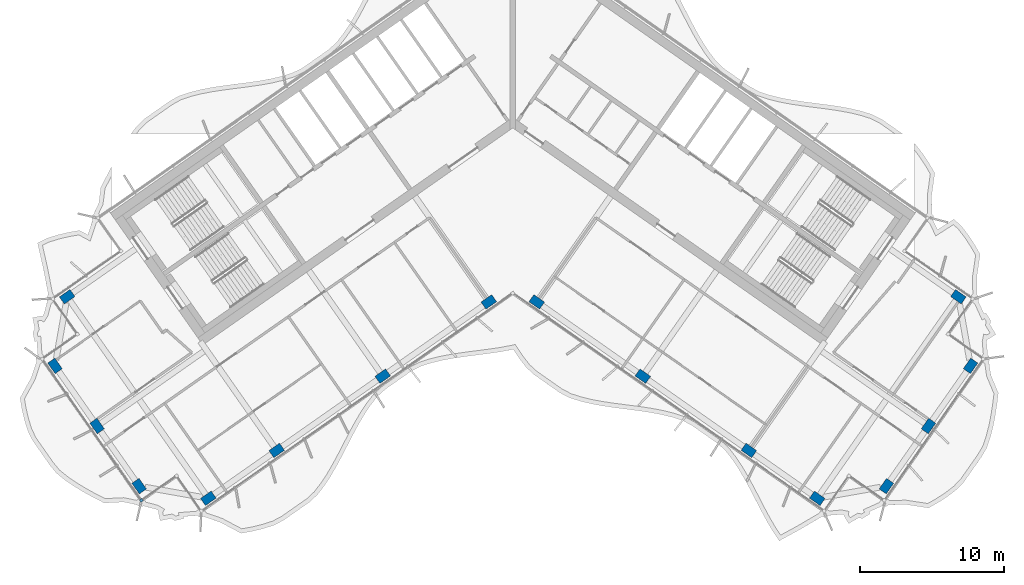
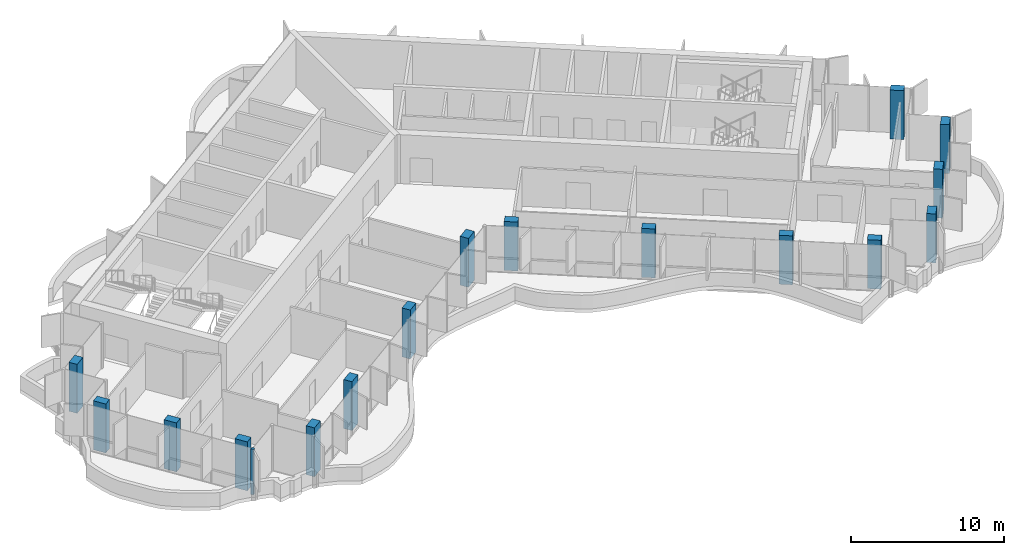
# One storey, part 1 of 20: 16 columns, 1 member, 1 element without a shape of its own.
"""IFC4 building model written with IfcOpenShell, lengths in metres."""

from ifc_helpers import new_model, si_unit, direction, frame, origin, origin_2d, place, context, subcontext, project, spatial, rectangle, extrude, material, material_profile, profile_set, type_object, element, aggregate, save


model = new_model("IFC4")

# Units and contexts
model_context = context("Model", 3, precision=1e-05, world=origin(), true_north=direction((0.0, 1.0)))
body_context = subcontext(model_context, "Body", "Model", "MODEL_VIEW")
ifc_project = project(units=[si_unit("LENGTHUNIT", "METRE"), si_unit("AREAUNIT", "SQUARE_METRE"), si_unit("VOLUMEUNIT", "CUBIC_METRE"), si_unit("PLANEANGLEUNIT", "RADIAN"), si_unit("MASSUNIT", "GRAM", prefix="KILO")], contexts=[model_context])

# Site, building, storey
site_placement = place(None, origin())
site = spatial("IfcSite", under=ifc_project, at=site_placement, CompositionType="ELEMENT")
building_placement = place(site_placement, origin())
building = spatial("IfcBuilding", under=site, at=building_placement, Name="Tel Ilan Convention Tower", CompositionType="ELEMENT")
storey_placement = place(building_placement, frame((0.0, 0.0, 233.199951171875)))
storey = spatial("IfcBuildingStorey", under=building, at=storey_placement, Name="L54", CompositionType="ELEMENT", Elevation=233.199951171875)

# Columns
ifc_material_1 = material(Name="Concrete C40/50", Category="concrete")
ifc_material_profile_1 = material_profile(ifc_material_1, rectangle(XDim=0.89990234375, YDim=0.60009765625, at=origin_2d()), Name="RC 600x900")
ifc_profile_set_1 = profile_set([ifc_material_profile_1], Name="Concrete C40/50")
column_type = type_object("IfcColumnType", Name="Column RC 600x900 C40/50", PredefinedType="COLUMN", material=ifc_profile_set_1)
for number, where, z_axis, x_axis, name in (
    (1, (-1.665283203125, -13.312744140625, 0.0), (0.0, 0.0, 1.0), (-0.819152044289, -0.573576436351, 0.0), "L54 column W-F1"),
    (2, (-9.03759765625, -18.474853515625, 0.0), (0.0, 0.0, 1.0), (-0.819152044289, -0.573576436351, 0.0), "L54 column W-F2"),
    (3, (-16.409912109375, -23.63720703125, 0.0), (0.0, 0.0, 1.0), (-0.819152044289, -0.573576436351, 0.0), "L54 column W-F3"),
    (4, (-21.1611328125, -26.9638671875, 0.0), (0.0, 0.0, 1.0), (-0.819152044289, -0.573576436351, 0.0), "L54 column W-FC"),
    (5, (-30.96923828125, -12.956298828125, 0.0), (0.0, 0.0, 1.0), (-0.819152044289, -0.573576436351, 0.0), "L54 column W-BC"),
    (6, (-25.966064453125, -26.11669921875, 0.0), (0.0, 0.0, 1.0), (-0.573576436351, 0.819152044289, 0.0), "L54 column W-E1"),
    (7, (-28.891357421875, -21.93896484375, 0.0), (0.0, 0.0, 1.0), (-0.573576436351, 0.819152044289, 0.0), "L54 column W-E2"),
    (8, (-31.81640625, -17.76123046875, 0.0), (0.0, 0.0, 1.0), (-0.573576436351, 0.819152044289, 0.0), "L54 column W-E3"),
    (9, (1.665283203125, -13.312744140625, 0.0), (0.0, 0.0, 1.0), (0.819152044289, -0.573576436351, 0.0), "L54 column E-F1"),
    (10, (9.03759765625, -18.474853515625, 0.0), (0.0, 0.0, 1.0), (0.819152044289, -0.573576436351, 0.0), "L54 column E-F2"),
    (11, (16.409912109375, -23.63720703125, 0.0), (0.0, 0.0, 1.0), (0.819152044289, -0.573576436351, 0.0), "L54 column E-F3"),
    (12, (21.1611328125, -26.9638671875, 0.0), (0.0, 0.0, 1.0), (0.819152044289, -0.573576436351, 0.0), "L54 column E-FC"),
    (13, (30.96923828125, -12.956298828125, 0.0), (0.0, 0.0, 1.0), (0.819152044289, -0.573576436351, 0.0), "L54 column E-BC"),
    (14, (25.966064453125, -26.11669921875, 0.0), (0.0, 0.0, 1.0), (0.573576436351, 0.819152044289, 0.0), "L54 column E-E1"),
    (15, (28.891357421875, -21.93896484375, 0.0), (0.0, 0.0, 1.0), (0.573576436351, 0.819152044289, 0.0), "L54 column E-E2"),
    (16, (31.81640625, -17.76123046875, 0.0), (0.0, 0.0, 1.0), (0.573576436351, 0.819152044289, 0.0), "L54 column E-E3"),
):
    element("IfcColumn", number, at=place(storey_placement, frame(where, z_axis=z_axis, x_axis=x_axis)), inside=storey, type_object=column_type, Name=name, PredefinedType="COLUMN", context=body_context, shape_type="SweptSolid", body=[
        extrude(rectangle(XDim=0.89990234375, YDim=0.60009765625, at=origin_2d()), origin(), (0.0, 0.0, 1.0), 3.900146484375),
    ])

# Curtain wall, member
ifc_material_2 = material(Name="Aluminium, bronze anodised", Category="aluminium")
curtain_wall_type = type_object("IfcCurtainWallType", Name="CW5 STICK CURTAIN WALL, UPPER OFFICE LOW-IRON TINTED GLASS", PredefinedType="NOTDEFINED", material=ifc_material_2)
curtain_wall_placement = place(storey_placement, origin())
curtain_wall = element("IfcCurtainWall", 17, at=curtain_wall_placement, inside=storey, type_object=curtain_wall_type, Name="Curtain wall CW5-42.02", PredefinedType="NOTDEFINED")
ifc_material_3 = material(Name="Aluminium, bronze anodised", Category="aluminium")
ifc_material_profile_2 = material_profile(ifc_material_3, rectangle(XDim=0.199951171875, YDim=0.199951171875, at=origin_2d()), Name="CW CORNER MULLION 200x200")
ifc_profile_set_2 = profile_set([ifc_material_profile_2], Name="Aluminium, bronze anodised")
member_type = type_object("IfcMemberType", Name="CW CORNER MULLION 200x200", PredefinedType="MULLION", material=ifc_profile_set_2)
member_placement = place(storey_placement, frame((-25.818359375, -27.112060546875, 0.0), z_axis=(0.0, 0.0, 1.0), x_axis=(0.573576436351, -0.819152044289, 0.0)))
member = element("IfcMember", 18, at=member_placement, type_object=member_type, Name="Corner mullion", PredefinedType="MULLION", context=body_context, shape_type="SweptSolid", body=[
    extrude(rectangle(XDim=0.199951171875, YDim=0.199951171875, at=origin_2d()), origin(), (0.0, 0.0, 1.0), 3.6201171875),
])
aggregate(curtain_wall, [member])

save(model, "model.ifc")
